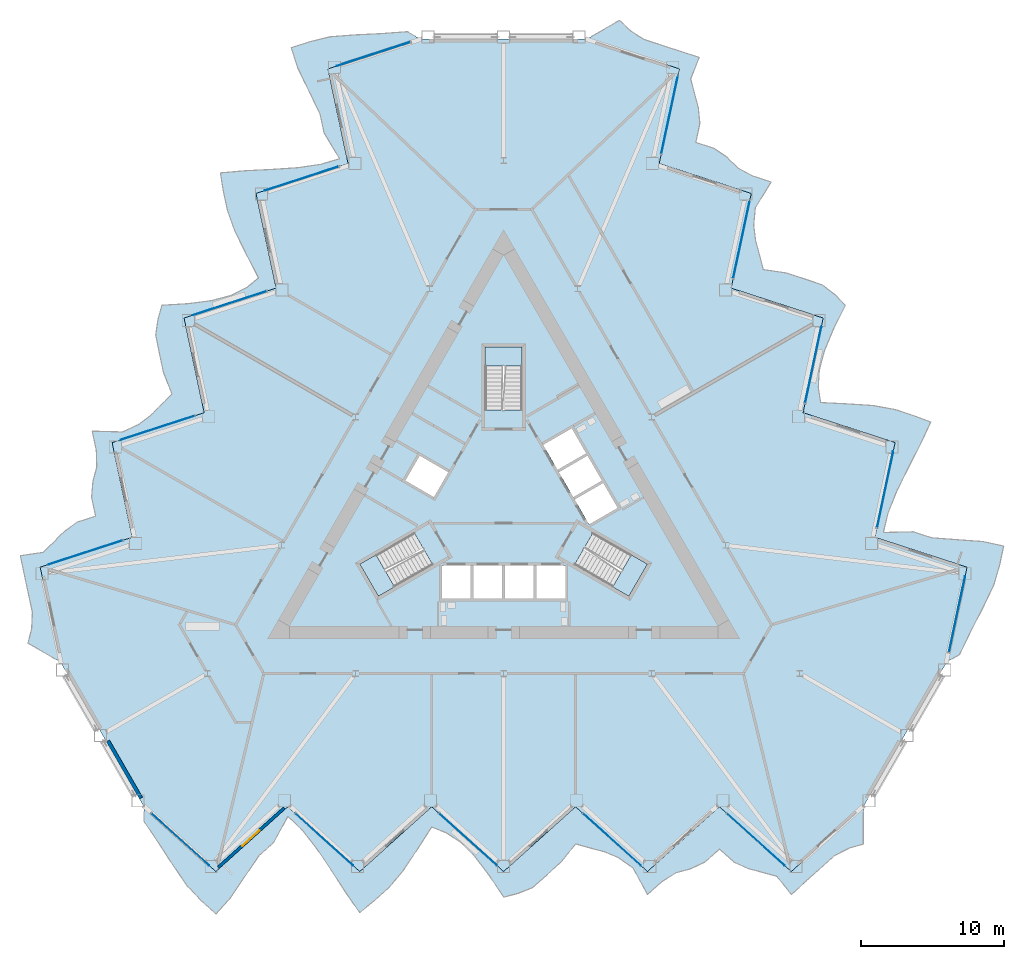
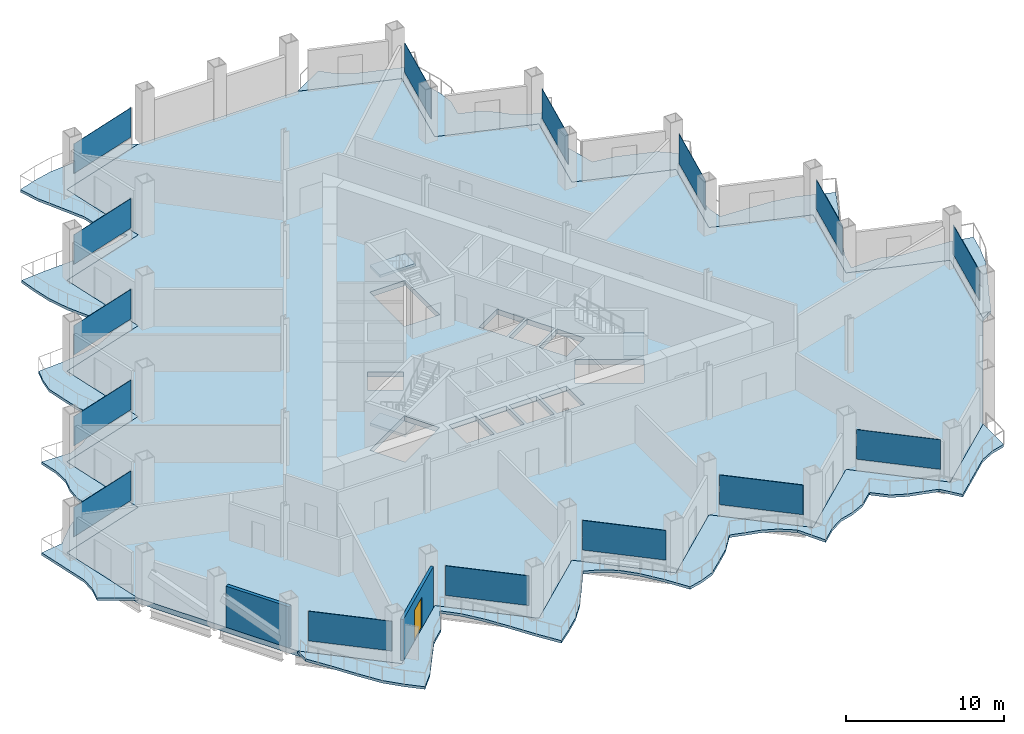
# One storey, part 9 of 21: 15 plates, 7 slabs, 2 walls, 1 door, 1 opening, 18 elements without a shape of their own.
"""IFC4 building model written with IfcOpenShell, lengths in metres."""

from ifc_helpers import new_model, si_unit, direction, frame, frame_2d, origin, origin_2d, place, context, subcontext, project, spatial, polyline, rectangle, outline, extrude, material, layer, layer_set, type_object, element, fill, aggregate, save


model = new_model("IFC4")

# Units and contexts
model_context = context("Model", 3, precision=1e-05, world=origin(), true_north=direction((0.0, 1.0)))
body_context = subcontext(model_context, "Body", "Model", "MODEL_VIEW")
ifc_project = project(units=[si_unit("LENGTHUNIT", "METRE"), si_unit("AREAUNIT", "SQUARE_METRE"), si_unit("VOLUMEUNIT", "CUBIC_METRE"), si_unit("PLANEANGLEUNIT", "RADIAN"), si_unit("MASSUNIT", "GRAM", prefix="KILO")], contexts=[model_context])

# Site, building, storey
site_placement = place(None, origin())
site = spatial("IfcSite", under=ifc_project, at=site_placement, CompositionType="ELEMENT")
building_placement = place(site_placement, origin())
building = spatial("IfcBuilding", under=site, at=building_placement, Name="Cormorant Prow Tower", CompositionType="ELEMENT")
storey_placement = place(building_placement, frame((0.0, 0.0, 112.199951171875)))
storey = spatial("IfcBuildingStorey", under=building, at=storey_placement, Name="L23", CompositionType="ELEMENT", Elevation=112.199951171875)

# Slabs
ifc_material_1 = material(Name="Concrete C40/50", Category="concrete")
ifc_layer_1 = layer(ifc_material_1, 0.199951171875)
ifc_layer_set_1 = layer_set([ifc_layer_1], Name="Concrete C40/50")
slab_type_1 = type_object("IfcSlabType", Name="Balcony slab 200", PredefinedType="FLOOR", material=ifc_layer_set_1)
slab_1_placement = place(storey_placement, frame((0.0, 0.0, -0.199951171875)))
element("IfcSlab", 1, at=slab_1_placement, inside=storey, type_object=slab_type_1, Name="Balcony slab S L23", PredefinedType="FLOOR", context=body_context, shape_type="SweptSolid", body=[
    extrude(outline(polyline([(-25.090087890625, -21.225341796875), (-25.090087890625, -22.241455078125), (-24.086669921875, -23.713623046875), (-23.0830078125, -25.2724609375), (-22.079345703125, -26.738037109375), (-21.07568359375, -27.7900390625), (-20.072021484375, -28.693603515625), (-19.068603515625, -27.58740234375), (-18.06494140625, -26.1025390625), (-17.061279296875, -24.6328125), (-16.0576171875, -23.72900390625), (-15.05419921875, -21.89892578125), (-14.050537109375, -22.848876953125), (-13.046875, -24.123046875), (-12.043212890625, -25.61962890625), (-11.039794921875, -27.17578125), (-10.0361328125, -28.6123046875), (-9.032470703125, -27.7900390625), (-8.02880859375, -26.886474609375), (-7.025146484375, -25.703125), (-6.021728515625, -24.19580078125), (-5.01806640625, -22.642578125), (-4.014404296875, -23.029541015625), (-3.0107421875, -23.69091796875), (-2.00732421875, -24.693359375), (-1.003662109375, -26.010009765625), (0.0, -27.527099609375), (1.003662109375, -27.26904296875), (2.00732421875, -26.865478515625), (3.0107421875, -25.982666015625), (4.014404296875, -25.0791015625), (5.01806640625, -23.81396484375), (6.021728515625, -24.09521484375), (7.025146484375, -24.3583984375), (8.02880859375, -24.779296875), (9.032470703125, -25.49072265625), (10.0361328125, -27.34375), (11.039794921875, -26.43994140625), (12.043212890625, -25.82080078125), (13.046875, -25.551513671875), (14.050537109375, -25.0791015625), (15.05419921875, -24.175537109375), (16.0576171875, -25.0791015625), (17.061279296875, -25.53466796875), (18.06494140625, -25.801513671875), (19.068603515625, -26.077880859375), (20.072021484375, -27.34375), (21.07568359375, -26.43994140625), (22.079345703125, -25.536376953125), (23.0830078125, -24.6328125), (24.086669921875, -24.1142578125), (25.090087890625, -23.829833984375), (25.090087890625, -21.225341796875), (24.086669921875, -22.129150390625), (23.0830078125, -23.03271484375), (22.079345703125, -23.936279296875), (21.07568359375, -24.840087890625), (20.072021484375, -25.74365234375), (19.068603515625, -24.840087890625), (18.06494140625, -23.936279296875), (17.061279296875, -23.03271484375), (16.0576171875, -22.129150390625), (15.05419921875, -21.225341796875), (14.050537109375, -22.129150390625), (13.046875, -23.03271484375), (12.043212890625, -23.936279296875), (11.039794921875, -24.840087890625), (10.0361328125, -25.74365234375), (9.032470703125, -24.840087890625), (8.02880859375, -23.936279296875), (7.025146484375, -23.03271484375), (6.021728515625, -22.129150390625), (5.01806640625, -21.225341796875), (4.014404296875, -22.129150390625), (3.0107421875, -23.03271484375), (2.00732421875, -23.936279296875), (1.003662109375, -24.840087890625), (0.0, -25.74365234375), (-1.003662109375, -24.840087890625), (-2.00732421875, -23.936279296875), (-3.0107421875, -23.03271484375), (-4.014404296875, -22.129150390625), (-5.01806640625, -21.225341796875), (-6.021728515625, -22.129150390625), (-7.025146484375, -23.03271484375), (-8.02880859375, -23.936279296875), (-9.032470703125, -24.840087890625), (-10.0361328125, -25.74365234375), (-11.039794921875, -24.840087890625), (-12.043212890625, -23.936279296875), (-13.046875, -23.03271484375), (-14.050537109375, -22.129150390625), (-15.05419921875, -21.225341796875), (-16.0576171875, -22.129150390625), (-17.061279296875, -23.03271484375), (-18.06494140625, -23.936279296875), (-19.068603515625, -24.840087890625), (-20.072021484375, -25.74365234375), (-21.07568359375, -24.840087890625), (-22.079345703125, -23.936279296875), (-23.0830078125, -23.03271484375), (-24.086669921875, -22.129150390625), (-25.090087890625, -21.225341796875)])), origin(), (0.0, 0.0, 1.0), 0.199951171875),
])
slab_2_placement = place(storey_placement, frame((0.0, 0.0, -0.199951171875)))
element("IfcSlab", 2, at=slab_2_placement, inside=storey, type_object=slab_type_1, Name="Balcony slab ENE L23", PredefinedType="FLOOR", context=body_context, shape_type="SweptSolid", body=[
    extrude(outline(polyline([(30.9267578125, -11.115966796875), (31.806884765625, -10.60791015625), (32.580078125, -9.002685546875), (33.42822265625, -7.354248046875), (34.1953125, -5.752197265625), (34.604736328125, -4.357177734375), (34.885498046875, -3.0361328125), (33.42578125, -2.719970703125), (31.637939453125, -2.59326171875), (29.86328125, -2.459228515625), (28.578857421875, -2.041748046875), (26.4921875, -2.087646484375), (26.81298828125, -0.74365234375), (27.414794921875, 0.7626953125), (28.208984375, 2.380126953125), (29.0546875, 4.02734375), (29.796875, 5.61474609375), (28.5830078125, 6.07275390625), (27.298828125, 6.489990234375), (25.772216796875, 6.767578125), (23.965087890625, 6.883056640625), (22.1181640625, 6.9755859375), (21.951171875, 8.0380859375), (22.022216796875, 9.238037109375), (22.388671875, 10.6083984375), (23.027099609375, 12.1357421875), (23.839111328125, 13.763671875), (23.11376953125, 14.503662109375), (22.2626953125, 15.171142578125), (20.996337890625, 15.598876953125), (19.7119140625, 16.01611328125), (18.114501953125, 16.252685546875), (17.856201171875, 17.262451171875), (17.58251953125, 18.26318359375), (17.445068359375, 19.3427734375), (17.559326171875, 20.567626953125), (18.662353515625, 22.36328125), (17.3779296875, 22.78076171875), (16.33984375, 23.340087890625), (15.604736328125, 24.07470703125), (14.69384765625, 24.70751953125), (13.409423828125, 25.125), (13.690185546875, 26.446044921875), (13.5830078125, 27.54296875), (13.312255859375, 28.54541015625), (13.050048828125, 29.552734375), (13.644287109375, 31.054931640625), (12.35986328125, 31.47216796875), (11.075439453125, 31.889404296875), (9.791015625, 32.306884765625), (8.84033203125, 32.916748046875), (8.092041015625, 33.6435546875), (5.836669921875, 32.341552734375), (7.12109375, 31.924072265625), (8.405517578125, 31.5068359375), (9.68994140625, 31.08935546875), (10.97412109375, 30.672119140625), (12.258544921875, 30.2548828125), (11.977783203125, 28.933837890625), (11.697021484375, 27.61279296875), (11.416259765625, 26.2919921875), (11.135498046875, 24.970947265625), (10.854736328125, 23.64990234375), (12.13916015625, 23.232666015625), (13.423583984375, 22.8154296875), (14.7080078125, 22.39794921875), (15.9921875, 21.980712890625), (17.276611328125, 21.563232421875), (16.995849609375, 20.242431640625), (16.715087890625, 18.92138671875), (16.434326171875, 17.600341796875), (16.153564453125, 16.279541015625), (15.872802734375, 14.95849609375), (17.1572265625, 14.541259765625), (18.441650390625, 14.123779296875), (19.725830078125, 13.70654296875), (21.01025390625, 13.2890625), (22.294677734375, 12.871826171875), (22.013916015625, 11.55078125), (21.733154296875, 10.22998046875), (21.452392578125, 8.908935546875), (21.171630859375, 7.587890625), (20.890869140625, 6.26708984375), (22.17529296875, 5.849609375), (23.45947265625, 5.432373046875), (24.743896484375, 5.014892578125), (26.0283203125, 4.59765625), (27.312744140625, 4.180419921875), (27.031982421875, 2.859375), (26.751220703125, 1.538330078125), (26.470458984375, 0.217529296875), (26.189697265625, -1.103515625), (25.908935546875, -2.424560546875), (27.193115234375, -2.841796875), (28.4775390625, -3.25927734375), (29.761962890625, -3.676513671875), (31.04638671875, -4.09375), (32.330810546875, -4.51123046875), (32.050048828125, -5.83203125), (31.769287109375, -7.153076171875), (31.488525390625, -8.47412109375), (31.20751953125, -9.794921875), (30.9267578125, -11.115966796875)])), origin(), (0.0, 0.0, 1.0), 0.199951171875),
])
slab_3_placement = place(storey_placement, frame((0.0, 0.0, -0.199951171875)))
element("IfcSlab", 3, at=slab_3_placement, inside=storey, type_object=slab_type_1, Name="Balcony slab WNW L23", PredefinedType="FLOOR", context=body_context, shape_type="SweptSolid", body=[
    extrude(outline(polyline([(-5.836669921875, 32.341552734375), (-6.716552734375, 32.849609375), (-8.493408203125, 32.716552734375), (-10.34521484375, 32.626708984375), (-12.115966796875, 32.490234375), (-13.529052734375, 32.147216796875), (-14.8134765625, 31.729736328125), (-14.357177734375, 30.3076171875), (-13.572998046875, 28.696044921875), (-12.802001953125, 27.091796875), (-12.521240234375, 25.77099609375), (-11.43798828125, 23.98681640625), (-12.762451171875, 23.592529296875), (-14.36767578125, 23.360595703125), (-16.165771484375, 23.23974609375), (-18.01513671875, 23.1484375), (-19.760986328125, 22.99755859375), (-19.550537109375, 21.71728515625), (-19.269775390625, 20.396484375), (-18.7470703125, 18.935546875), (-17.943359375, 17.312744140625), (-17.10009765625, 15.6669921875), (-17.936767578125, 14.9912109375), (-19.011474609375, 14.452880859375), (-20.381591796875, 14.0849609375), (-22.0234375, 13.8740234375), (-23.839111328125, 13.763671875), (-24.117431640625, 12.765380859375), (-24.269775390625, 11.694580078125), (-24.007080078125, 10.384033203125), (-23.726318359375, 9.06298828125), (-23.132568359375, 7.561279296875), (-23.8779296875, 6.832763671875), (-24.607666015625, 6.09521484375), (-25.47412109375, 5.4365234375), (-26.591796875, 4.923095703125), (-28.698486328125, 4.98046875), (-28.41748046875, 3.659423828125), (-28.383056640625, 2.48046875), (-28.651611328125, 1.476806640625), (-28.744384765625, 0.37158203125), (-28.463623046875, -0.949462890625), (-29.748046875, -1.366943359375), (-30.644287109375, -2.008056640625), (-31.377197265625, -2.743896484375), (-32.118408203125, -3.474853515625), (-33.71630859375, -3.711181640625), (-33.435546875, -5.031982421875), (-33.15478515625, -6.35302734375), (-32.8740234375, -7.674072265625), (-32.927001953125, -8.802490234375), (-33.182373046875, -9.813720703125), (-30.9267578125, -11.115966796875), (-31.20751953125, -9.794921875), (-31.488525390625, -8.47412109375), (-31.769287109375, -7.153076171875), (-32.050048828125, -5.83203125), (-32.330810546875, -4.51123046875), (-31.04638671875, -4.09375), (-29.761962890625, -3.676513671875), (-28.4775390625, -3.25927734375), (-27.193115234375, -2.841796875), (-25.908935546875, -2.424560546875), (-26.189697265625, -1.103515625), (-26.470458984375, 0.217529296875), (-26.751220703125, 1.538330078125), (-27.031982421875, 2.859375), (-27.312744140625, 4.180419921875), (-26.0283203125, 4.59765625), (-24.743896484375, 5.014892578125), (-23.45947265625, 5.432373046875), (-22.17529296875, 5.849609375), (-20.890869140625, 6.26708984375), (-21.171630859375, 7.587890625), (-21.452392578125, 8.908935546875), (-21.733154296875, 10.22998046875), (-22.013916015625, 11.55078125), (-22.294677734375, 12.871826171875), (-21.01025390625, 13.2890625), (-19.725830078125, 13.70654296875), (-18.441650390625, 14.123779296875), (-17.1572265625, 14.541259765625), (-15.872802734375, 14.95849609375), (-16.153564453125, 16.279541015625), (-16.434326171875, 17.600341796875), (-16.715087890625, 18.92138671875), (-16.995849609375, 20.242431640625), (-17.276611328125, 21.563232421875), (-15.9921875, 21.980712890625), (-14.7080078125, 22.39794921875), (-13.423583984375, 22.8154296875), (-12.13916015625, 23.232666015625), (-10.854736328125, 23.64990234375), (-11.135498046875, 24.970947265625), (-11.416259765625, 26.2919921875), (-11.697021484375, 27.61279296875), (-11.977783203125, 28.933837890625), (-12.258544921875, 30.2548828125), (-10.97412109375, 30.672119140625), (-9.68994140625, 31.08935546875), (-8.405517578125, 31.5068359375), (-7.12109375, 31.924072265625), (-5.836669921875, 32.341552734375)])), origin(), (0.0, 0.0, 1.0), 0.199951171875),
])

# Curtain wall, plate
ifc_material_2 = material(Name="Aluminium 6063-T6", Category="aluminium")
ifc_layer_2 = layer(ifc_material_2, 0.199951171875)
ifc_layer_set_2 = layer_set([ifc_layer_2], Name="Aluminium 6063-T6")
curtain_wall_type = type_object("IfcCurtainWallType", Name="Office unitised curtain wall 200", PredefinedType="NOTDEFINED", material=ifc_layer_set_2)
curtain_wall_1_placement = place(storey_placement, origin())
curtain_wall_1 = element("IfcCurtainWall", 4, at=curtain_wall_1_placement, inside=storey, type_object=curtain_wall_type, Name="Office curtain wall S00", PredefinedType="NOTDEFINED")
ifc_material_3 = material(Name="Clear glass", Category="glass")
ifc_layer_3 = layer(ifc_material_3, 0.031982421875)
ifc_layer_set_3 = layer_set([ifc_layer_3], Name="Clear glass")
plate_type = type_object("IfcPlateType", Name="Office glass panel 32", PredefinedType="CURTAIN_PANEL", material=ifc_layer_set_3)
plate_1_placement = place(storey_placement, frame((-22.558837890625, -23.504638671875, 0.89990234375), z_axis=(0.0, 0.0, 1.0), x_axis=(0.74314483343, -0.669130597526, 0.0)))
plate_1 = element("IfcPlate", 5, at=plate_1_placement, type_object=plate_type, Name="Office glass panel S00", PredefinedType="CURTAIN_PANEL", context=body_context, shape_type="SweptSolid", body=[
    extrude(rectangle(XDim=5.42041015625, YDim=0.031982421875, at=origin_2d()), origin(), (0.0, 0.0, 1.0), 2.288818359375),
])
aggregate(curtain_wall_1, [plate_1])

curtain_wall_2_placement = place(storey_placement, origin())
curtain_wall_2 = element("IfcCurtainWall", 6, at=curtain_wall_2_placement, inside=storey, type_object=curtain_wall_type, Name="Office curtain wall S02", PredefinedType="NOTDEFINED")
plate_2_placement = place(storey_placement, frame((-12.522705078125, -23.504638671875, 0.89990234375), z_axis=(0.0, 0.0, 1.0), x_axis=(0.74314483343, -0.669130597526, 0.0)))
plate_2 = element("IfcPlate", 7, at=plate_2_placement, type_object=plate_type, Name="Office glass panel S02", PredefinedType="CURTAIN_PANEL", context=body_context, shape_type="SweptSolid", body=[
    extrude(rectangle(XDim=5.42041015625, YDim=0.031982421875, at=origin_2d()), origin(), (0.0, 0.0, 1.0), 2.288818359375),
])
aggregate(curtain_wall_2, [plate_2])

curtain_wall_3_placement = place(storey_placement, origin())
curtain_wall_3 = element("IfcCurtainWall", 8, at=curtain_wall_3_placement, inside=storey, type_object=curtain_wall_type, Name="Office curtain wall S04", PredefinedType="NOTDEFINED")
plate_3_placement = place(storey_placement, frame((-2.48681640625, -23.504638671875, 0.89990234375), z_axis=(0.0, 0.0, 1.0), x_axis=(0.74314483343, -0.669130597526, 0.0)))
plate_3 = element("IfcPlate", 9, at=plate_3_placement, type_object=plate_type, Name="Office glass panel S04", PredefinedType="CURTAIN_PANEL", context=body_context, shape_type="SweptSolid", body=[
    extrude(rectangle(XDim=5.42041015625, YDim=0.031982421875, at=origin_2d()), origin(), (0.0, 0.0, 1.0), 2.288818359375),
])
aggregate(curtain_wall_3, [plate_3])

curtain_wall_4_placement = place(storey_placement, origin())
curtain_wall_4 = element("IfcCurtainWall", 10, at=curtain_wall_4_placement, inside=storey, type_object=curtain_wall_type, Name="Office curtain wall S06", PredefinedType="NOTDEFINED")
plate_4_placement = place(storey_placement, frame((7.54931640625, -23.504638671875, 0.89990234375), z_axis=(0.0, 0.0, 1.0), x_axis=(0.74314483343, -0.669130597526, 0.0)))
plate_4 = element("IfcPlate", 11, at=plate_4_placement, type_object=plate_type, Name="Office glass panel S06", PredefinedType="CURTAIN_PANEL", context=body_context, shape_type="SweptSolid", body=[
    extrude(rectangle(XDim=5.42041015625, YDim=0.031982421875, at=origin_2d()), origin(), (0.0, 0.0, 1.0), 2.288818359375),
])
aggregate(curtain_wall_4, [plate_4])

curtain_wall_5_placement = place(storey_placement, origin())
curtain_wall_5 = element("IfcCurtainWall", 12, at=curtain_wall_5_placement, inside=storey, type_object=curtain_wall_type, Name="Office curtain wall S08", PredefinedType="NOTDEFINED")
plate_5_placement = place(storey_placement, frame((17.58544921875, -23.504638671875, 0.89990234375), z_axis=(0.0, 0.0, 1.0), x_axis=(0.74314483343, -0.669130597526, 0.0)))
plate_5 = element("IfcPlate", 13, at=plate_5_placement, type_object=plate_type, Name="Office glass panel S08", PredefinedType="CURTAIN_PANEL", context=body_context, shape_type="SweptSolid", body=[
    extrude(rectangle(XDim=5.42041015625, YDim=0.031982421875, at=origin_2d()), origin(), (0.0, 0.0, 1.0), 2.288818359375),
])
aggregate(curtain_wall_5, [plate_5])

curtain_wall_6_placement = place(storey_placement, origin())
curtain_wall_6 = element("IfcCurtainWall", 14, at=curtain_wall_6_placement, inside=storey, type_object=curtain_wall_type, Name="Office curtain wall ENE00", PredefinedType="NOTDEFINED")
plate_6_placement = place(storey_placement, frame((31.635009765625, -7.7841796875, 0.89990234375), z_axis=(0.0, 0.0, 1.0), x_axis=(0.207911647216, 0.978147610002, 0.0)))
plate_6 = element("IfcPlate", 15, at=plate_6_placement, type_object=plate_type, Name="Office glass panel ENE00", PredefinedType="CURTAIN_PANEL", context=body_context, shape_type="SweptSolid", body=[
    extrude(rectangle(XDim=5.42041015625, YDim=0.031982421875, at=origin_2d()), origin(), (0.0, 0.0, 1.0), 2.288818359375),
])
aggregate(curtain_wall_6, [plate_6])

curtain_wall_7_placement = place(storey_placement, origin())
curtain_wall_7 = element("IfcCurtainWall", 16, at=curtain_wall_7_placement, inside=storey, type_object=curtain_wall_type, Name="Office curtain wall ENE02", PredefinedType="NOTDEFINED")
plate_7_placement = place(storey_placement, frame((26.616943359375, 0.9072265625, 0.89990234375), z_axis=(0.0, 0.0, 1.0), x_axis=(0.207911647216, 0.978147610002, 0.0)))
plate_7 = element("IfcPlate", 17, at=plate_7_placement, type_object=plate_type, Name="Office glass panel ENE02", PredefinedType="CURTAIN_PANEL", context=body_context, shape_type="SweptSolid", body=[
    extrude(rectangle(XDim=5.42041015625, YDim=0.031982421875, at=origin_2d()), origin(), (0.0, 0.0, 1.0), 2.288818359375),
])
aggregate(curtain_wall_7, [plate_7])

curtain_wall_8_placement = place(storey_placement, origin())
curtain_wall_8 = element("IfcCurtainWall", 18, at=curtain_wall_8_placement, inside=storey, type_object=curtain_wall_type, Name="Office curtain wall ENE04", PredefinedType="NOTDEFINED")
plate_8_placement = place(storey_placement, frame((21.598876953125, 9.598876953125, 0.89990234375), z_axis=(0.0, 0.0, 1.0), x_axis=(0.207911647216, 0.978147610002, 0.0)))
plate_8 = element("IfcPlate", 19, at=plate_8_placement, type_object=plate_type, Name="Office glass panel ENE04", PredefinedType="CURTAIN_PANEL", context=body_context, shape_type="SweptSolid", body=[
    extrude(rectangle(XDim=5.42041015625, YDim=0.031982421875, at=origin_2d()), origin(), (0.0, 0.0, 1.0), 2.288818359375),
])
aggregate(curtain_wall_8, [plate_8])

curtain_wall_9_placement = place(storey_placement, origin())
curtain_wall_9 = element("IfcCurtainWall", 20, at=curtain_wall_9_placement, inside=storey, type_object=curtain_wall_type, Name="Office curtain wall ENE06", PredefinedType="NOTDEFINED")
plate_9_placement = place(storey_placement, frame((16.5810546875, 18.290283203125, 0.89990234375), z_axis=(0.0, 0.0, 1.0), x_axis=(0.207911647216, 0.978147610002, 0.0)))
plate_9 = element("IfcPlate", 21, at=plate_9_placement, type_object=plate_type, Name="Office glass panel ENE06", PredefinedType="CURTAIN_PANEL", context=body_context, shape_type="SweptSolid", body=[
    extrude(rectangle(XDim=5.42041015625, YDim=0.031982421875, at=origin_2d()), origin(), (0.0, 0.0, 1.0), 2.288818359375),
])
aggregate(curtain_wall_9, [plate_9])

curtain_wall_10_placement = place(storey_placement, origin())
curtain_wall_10 = element("IfcCurtainWall", 22, at=curtain_wall_10_placement, inside=storey, type_object=curtain_wall_type, Name="Office curtain wall ENE08", PredefinedType="NOTDEFINED")
plate_10_placement = place(storey_placement, frame((11.56298828125, 26.981689453125, 0.89990234375), z_axis=(0.0, 0.0, 1.0), x_axis=(0.207911647216, 0.978147610002, 0.0)))
plate_10 = element("IfcPlate", 23, at=plate_10_placement, type_object=plate_type, Name="Office glass panel ENE08", PredefinedType="CURTAIN_PANEL", context=body_context, shape_type="SweptSolid", body=[
    extrude(rectangle(XDim=5.42041015625, YDim=0.031982421875, at=origin_2d()), origin(), (0.0, 0.0, 1.0), 2.288818359375),
])
aggregate(curtain_wall_10, [plate_10])

curtain_wall_11_placement = place(storey_placement, origin())
curtain_wall_11 = element("IfcCurtainWall", 24, at=curtain_wall_11_placement, inside=storey, type_object=curtain_wall_type, Name="Office curtain wall WNW00", PredefinedType="NOTDEFINED")
plate_11_placement = place(storey_placement, frame((-9.076171875, 31.288818359375, 0.89990234375), z_axis=(0.0, 0.0, 1.0), x_axis=(-0.951056506231, -0.309017025349, 0.0)))
plate_11 = element("IfcPlate", 25, at=plate_11_placement, type_object=plate_type, Name="Office glass panel WNW00", PredefinedType="CURTAIN_PANEL", context=body_context, shape_type="SweptSolid", body=[
    extrude(rectangle(XDim=5.42041015625, YDim=0.031982421875, at=origin_2d()), origin(), (0.0, 0.0, 1.0), 2.288818359375),
])
aggregate(curtain_wall_11, [plate_11])

curtain_wall_12_placement = place(storey_placement, origin())
curtain_wall_12 = element("IfcCurtainWall", 26, at=curtain_wall_12_placement, inside=storey, type_object=curtain_wall_type, Name="Office curtain wall WNW02", PredefinedType="NOTDEFINED")
plate_12_placement = place(storey_placement, frame((-14.09423828125, 22.597412109375, 0.89990234375), z_axis=(0.0, 0.0, 1.0), x_axis=(-0.951056506231, -0.309017025349, 0.0)))
plate_12 = element("IfcPlate", 27, at=plate_12_placement, type_object=plate_type, Name="Office glass panel WNW02", PredefinedType="CURTAIN_PANEL", context=body_context, shape_type="SweptSolid", body=[
    extrude(rectangle(XDim=5.42041015625, YDim=0.031982421875, at=origin_2d()), origin(), (0.0, 0.0, 1.0), 2.288818359375),
])
aggregate(curtain_wall_12, [plate_12])

curtain_wall_13_placement = place(storey_placement, origin())
curtain_wall_13 = element("IfcCurtainWall", 28, at=curtain_wall_13_placement, inside=storey, type_object=curtain_wall_type, Name="Office curtain wall WNW04", PredefinedType="NOTDEFINED")
plate_13_placement = place(storey_placement, frame((-19.1123046875, 13.906005859375, 0.89990234375), z_axis=(0.0, 0.0, 1.0), x_axis=(-0.951056506231, -0.309017025349, 0.0)))
plate_13 = element("IfcPlate", 29, at=plate_13_placement, type_object=plate_type, Name="Office glass panel WNW04", PredefinedType="CURTAIN_PANEL", context=body_context, shape_type="SweptSolid", body=[
    extrude(rectangle(XDim=5.42041015625, YDim=0.031982421875, at=origin_2d()), origin(), (0.0, 0.0, 1.0), 2.288818359375),
])
aggregate(curtain_wall_13, [plate_13])

curtain_wall_14_placement = place(storey_placement, origin())
curtain_wall_14 = element("IfcCurtainWall", 30, at=curtain_wall_14_placement, inside=storey, type_object=curtain_wall_type, Name="Office curtain wall WNW06", PredefinedType="NOTDEFINED")
plate_14_placement = place(storey_placement, frame((-24.13037109375, 5.21435546875, 0.89990234375), z_axis=(0.0, 0.0, 1.0), x_axis=(-0.951056549756, -0.309016891394, 0.0)))
plate_14 = element("IfcPlate", 31, at=plate_14_placement, type_object=plate_type, Name="Office glass panel WNW06", PredefinedType="CURTAIN_PANEL", context=body_context, shape_type="SweptSolid", body=[
    extrude(rectangle(XDim=5.42041015625, YDim=0.031982421875, at=origin_2d()), origin(), (0.0, 0.0, 1.0), 2.288818359375),
])
aggregate(curtain_wall_14, [plate_14])

curtain_wall_15_placement = place(storey_placement, origin())
curtain_wall_15 = element("IfcCurtainWall", 32, at=curtain_wall_15_placement, inside=storey, type_object=curtain_wall_type, Name="Office curtain wall WNW08", PredefinedType="NOTDEFINED")
plate_15_placement = place(storey_placement, frame((-29.1484375, -3.47705078125, 0.89990234375), z_axis=(0.0, 0.0, 1.0), x_axis=(-0.951056506231, -0.309017025349, 0.0)))
plate_15 = element("IfcPlate", 33, at=plate_15_placement, type_object=plate_type, Name="Office glass panel WNW08", PredefinedType="CURTAIN_PANEL", context=body_context, shape_type="SweptSolid", body=[
    extrude(rectangle(XDim=5.42041015625, YDim=0.031982421875, at=origin_2d()), origin(), (0.0, 0.0, 1.0), 2.288818359375),
])
aggregate(curtain_wall_15, [plate_15])

# Slab
ifc_material_4 = material(Name="Concrete C40/50", Category="concrete")
ifc_layer_4 = layer(ifc_material_4, 0.39990234375)
ifc_layer_set_4 = layer_set([ifc_layer_4], Name="Concrete C40/50")
slab_type_2 = type_object("IfcSlabType", Name="Post-tensioned flat slab 400", PredefinedType="FLOOR", material=ifc_layer_set_4)
slab_4_placement = place(storey_placement, frame((0.0, 0.0, -0.39990234375)))
element("IfcSlab", 34, at=slab_4_placement, inside=storey, type_object=slab_type_2, Name="Floor slab L23", PredefinedType="FLOOR", context=body_context, shape_type="SweptSolid", body=[
    extrude(outline(polyline([(-12.258544921875, 30.2548828125), (-10.854736328125, 23.64990234375), (-17.276611328125, 21.563232421875), (-15.872802734375, 14.95849609375), (-22.294677734375, 12.871826171875), (-20.890869140625, 6.26708984375), (-27.312744140625, 4.180419921875), (-25.908935546875, -2.424560546875), (-32.330810546875, -4.51123046875), (-30.9267578125, -11.115966796875), (-28.008544921875, -16.170654296875), (-25.090087890625, -21.225341796875), (-20.072021484375, -25.74365234375), (-15.05419921875, -21.225341796875), (-10.0361328125, -25.74365234375), (-5.01806640625, -21.225341796875), (0.0, -25.74365234375), (5.01806640625, -21.225341796875), (10.0361328125, -25.74365234375), (15.05419921875, -21.225341796875), (20.072021484375, -25.74365234375), (25.090087890625, -21.225341796875), (28.008544921875, -16.170654296875), (30.9267578125, -11.115966796875), (32.330810546875, -4.51123046875), (25.908935546875, -2.424560546875), (27.312744140625, 4.180419921875), (20.890869140625, 6.26708984375), (22.294677734375, 12.871826171875), (15.872802734375, 14.95849609375), (17.276611328125, 21.563232421875), (10.854736328125, 23.64990234375), (12.258544921875, 30.2548828125), (5.836669921875, 32.341552734375), (0.0, 32.341552734375), (-5.836669921875, 32.341552734375), (-12.258544921875, 30.2548828125)]), holes=[polyline([(-4.300048828125, -6.699951171875), (-4.300048828125, -4.39990234375), (-2.300048828125, -4.39990234375), (-2.300048828125, -6.699951171875), (-4.300048828125, -6.699951171875)]), polyline([(-2.10009765625, -4.39990234375), (-0.10009765625, -4.39990234375), (-0.10009765625, -6.699951171875), (-2.10009765625, -6.699951171875), (-2.10009765625, -4.39990234375)]), polyline([(2.10009765625, -4.39990234375), (2.10009765625, -6.699951171875), (0.10009765625, -6.699951171875), (0.10009765625, -4.39990234375), (2.10009765625, -4.39990234375)]), polyline([(4.300048828125, -6.699951171875), (2.300048828125, -6.699951171875), (2.300048828125, -4.39990234375), (4.300048828125, -4.39990234375), (4.300048828125, -6.699951171875)]), polyline([(7.952392578125, -0.373779296875), (5.96044921875, -1.52392578125), (4.96044921875, 0.2080078125), (6.952392578125, 1.358154296875), (7.952392578125, -0.373779296875)]), polyline([(4.860595703125, 0.38134765625), (3.860595703125, 2.11328125), (5.852294921875, 3.263427734375), (6.852294921875, 1.53125), (4.860595703125, 0.38134765625)]), polyline([(2.760498046875, 4.018798828125), (4.75244140625, 5.168701171875), (5.75244140625, 3.4365234375), (3.760498046875, 2.28662109375), (2.760498046875, 4.018798828125)]), polyline([(-6.852294921875, 1.53125), (-5.852294921875, 3.263427734375), (-3.860595703125, 2.11328125), (-4.860595703125, 0.38134765625), (-6.852294921875, 1.53125)]), polyline([(-4.947509765625, -4.3505859375), (-8.738037109375, -6.5390625), (-10.031982421875, -4.2978515625), (-6.241455078125, -2.109375), (-4.947509765625, -4.3505859375)]), polyline([(10.031982421875, -4.2978515625), (8.738037109375, -6.5390625), (4.947509765625, -4.3505859375), (6.241455078125, -2.109375), (10.031982421875, -4.2978515625)]), polyline([(1.2939453125, 10.8369140625), (1.2939453125, 6.459716796875), (-1.2939453125, 6.459716796875), (-1.2939453125, 10.8369140625), (1.2939453125, 10.8369140625)])]), origin(), (0.0, 0.0, 1.0), 0.39990234375),
])

# Stair, slab
ifc_material_5 = material(Name="Exit stair 24 risers")
stair_type = type_object("IfcStairType", Name="Exit stair 24 risers", PredefinedType="HALF_TURN_STAIR", material=ifc_material_5)
stair_1_placement = place(storey_placement, origin())
stair_1 = element("IfcStair", 35, at=stair_1_placement, inside=storey, type_object=stair_type, Name="L23 Exit stair ST1", PredefinedType="HALF_TURN_STAIR")
ifc_material_6 = material(Name="Concrete 5000 psi", Category="concrete")
ifc_layer_5 = layer(ifc_material_6, 0.199951171875)
ifc_layer_set_5 = layer_set([ifc_layer_5], Name="Concrete 5000 psi")
slab_type_3 = type_object("IfcSlabType", Name="Stair landing 200", PredefinedType="LANDING", material=ifc_layer_set_5)
slab_5_placement = place(storey_placement, frame((0.0, 0.0, 1.900146484375)))
slab_5 = element("IfcSlab", 36, at=slab_5_placement, type_object=slab_type_3, Name="ST1 landing 1", PredefinedType="LANDING", context=body_context, shape_type="SweptSolid", body=[
    extrude(outline(polyline([(-8.90185546875, -3.645263671875), (-10.031982421875, -4.2978515625), (-8.738037109375, -6.5390625), (-7.60791015625, -5.886474609375), (-8.90185546875, -3.645263671875)])), origin(), (0.0, 0.0, 1.0), 0.199951171875),
])
aggregate(stair_1, [slab_5])

stair_2_placement = place(storey_placement, origin())
stair_2 = element("IfcStair", 37, at=stair_2_placement, inside=storey, type_object=stair_type, Name="L23 Exit stair ST2", PredefinedType="HALF_TURN_STAIR")
slab_6_placement = place(storey_placement, frame((0.0, 0.0, 1.900146484375)))
slab_6 = element("IfcSlab", 38, at=slab_6_placement, type_object=slab_type_3, Name="ST2 landing 1", PredefinedType="LANDING", context=body_context, shape_type="SweptSolid", body=[
    extrude(outline(polyline([(7.60791015625, -5.886474609375), (8.738037109375, -6.5390625), (10.031982421875, -4.2978515625), (8.90185546875, -3.645263671875), (7.60791015625, -5.886474609375)])), origin(), (0.0, 0.0, 1.0), 0.199951171875),
])
aggregate(stair_2, [slab_6])

stair_3_placement = place(storey_placement, origin())
stair_3 = element("IfcStair", 39, at=stair_3_placement, inside=storey, type_object=stair_type, Name="L23 Exit stair ST3", PredefinedType="HALF_TURN_STAIR")
slab_7_placement = place(storey_placement, frame((0.0, 0.0, 1.900146484375)))
slab_7 = element("IfcSlab", 40, at=slab_7_placement, type_object=slab_type_3, Name="ST3 landing 1", PredefinedType="LANDING", context=body_context, shape_type="SweptSolid", body=[
    extrude(outline(polyline([(1.2939453125, 9.53173828125), (1.2939453125, 10.8369140625), (-1.2939453125, 10.8369140625), (-1.2939453125, 9.53173828125), (1.2939453125, 9.53173828125)])), origin(), (0.0, 0.0, 1.0), 0.199951171875),
])
aggregate(stair_3, [slab_7])

# Wall
ifc_material_7 = material(Name="Terracotta", Category="masonry")
ifc_layer_6 = layer(ifc_material_7, 0.25)
ifc_layer_set_6 = layer_set([ifc_layer_6], Name="Terracotta")
wall_type_1 = type_object("IfcWallType", Name="Terracotta bay wall 250", PredefinedType="SOLIDWALL", material=ifc_layer_set_6)
wall_1_placement = place(storey_placement, frame((-27.597900390625, -16.6318359375, 0.0), z_axis=(0.0, 0.0, 1.0), x_axis=(0.500018268964, -0.866014855936, 0.0)))
element("IfcWall", 41, at=wall_1_placement, inside=storey, type_object=wall_type_1, Name="Terracotta bay wall WSW01", PredefinedType="SOLIDWALL", context=body_context, shape_type="SweptSolid", body=[
    extrude(rectangle(XDim=4.595947265625, YDim=0.25, at=frame_2d((2.2978515625, 0.0))), origin(), (0.0, 0.0, 1.0), 3.18896484375),
])

# Wall, opening, door
ifc_material_8 = material(Name="Terracotta", Category="masonry")
ifc_layer_7 = layer(ifc_material_8, 0.199951171875)
ifc_layer_set_7 = layer_set([ifc_layer_7], Name="Terracotta")
wall_type_2 = type_object("IfcWallType", Name="Terracotta jamb wall 200", PredefinedType="SOLIDWALL", material=ifc_layer_set_7)
wall_2_placement = place(storey_placement, frame((-19.896240234375, -25.45068359375, 0.0), z_axis=(0.0, 0.0, 1.0), x_axis=(0.743162487272, 0.669110990428, 0.0)))
wall_2 = element("IfcWall", 42, at=wall_2_placement, inside=storey, type_object=wall_type_2, Name="Terracotta jamb wall S01", PredefinedType="SOLIDWALL", context=body_context, shape_type="SweptSolid", body=[
    extrude(rectangle(XDim=6.178466796875, YDim=0.199951171875, at=frame_2d((3.08935546875, 0.0))), origin(), (0.0, 0.0, 1.0), 3.18896484375),
])
opening_placement = place(wall_2_placement, frame((2.24951171875, 0.0, 0.0)))
opening = element("IfcOpeningElement", 43, at=opening_placement, cuts=wall_2, Name="Opening ED23.01", PredefinedType="OPENING", context=body_context, shape_type="SweptSolid", body=[
    extrude(rectangle(XDim=1.60009765625, YDim=2.39990234375, at=frame_2d((0.800048828125, 1.199951171875))), frame((0.0, 0.10986328125, 0.0), z_axis=(0.0, -1.0, 0.0), x_axis=(1.0, 0.0, 0.0)), (0.0, 0.0, 1.0), 0.219970703125),
])
ifc_material_9 = material(Name="Aluminium 6063-T6", Category="aluminium")
door_type = type_object("IfcDoorType", Name="Balcony door 1600x2400", OperationType="DOUBLE_DOOR_SINGLE_SWING", PredefinedType="DOOR", material=ifc_material_9)
door_placement = place(opening_placement, origin())
door = element("IfcDoor", 44, at=door_placement, inside=storey, type_object=door_type, Name="Balcony door S01 ED23.01", OperationType="DOUBLE_DOOR_SINGLE_SWING", OverallHeight=2.39990234375, OverallWidth=1.60009765625, PredefinedType="DOOR", context=body_context, shape_type="SweptSolid", body=[
    extrude(rectangle(XDim=1.60009765625, YDim=2.39990234375, at=frame_2d((0.800048828125, 1.199951171875))), frame((0.0, 0.02490234375, 0.0), z_axis=(0.0, -1.0, 0.0), x_axis=(1.0, 0.0, 0.0)), (0.0, 0.0, 1.0), 0.050048828125),
])
fill(opening, door)

save(model, "model.ifc")
